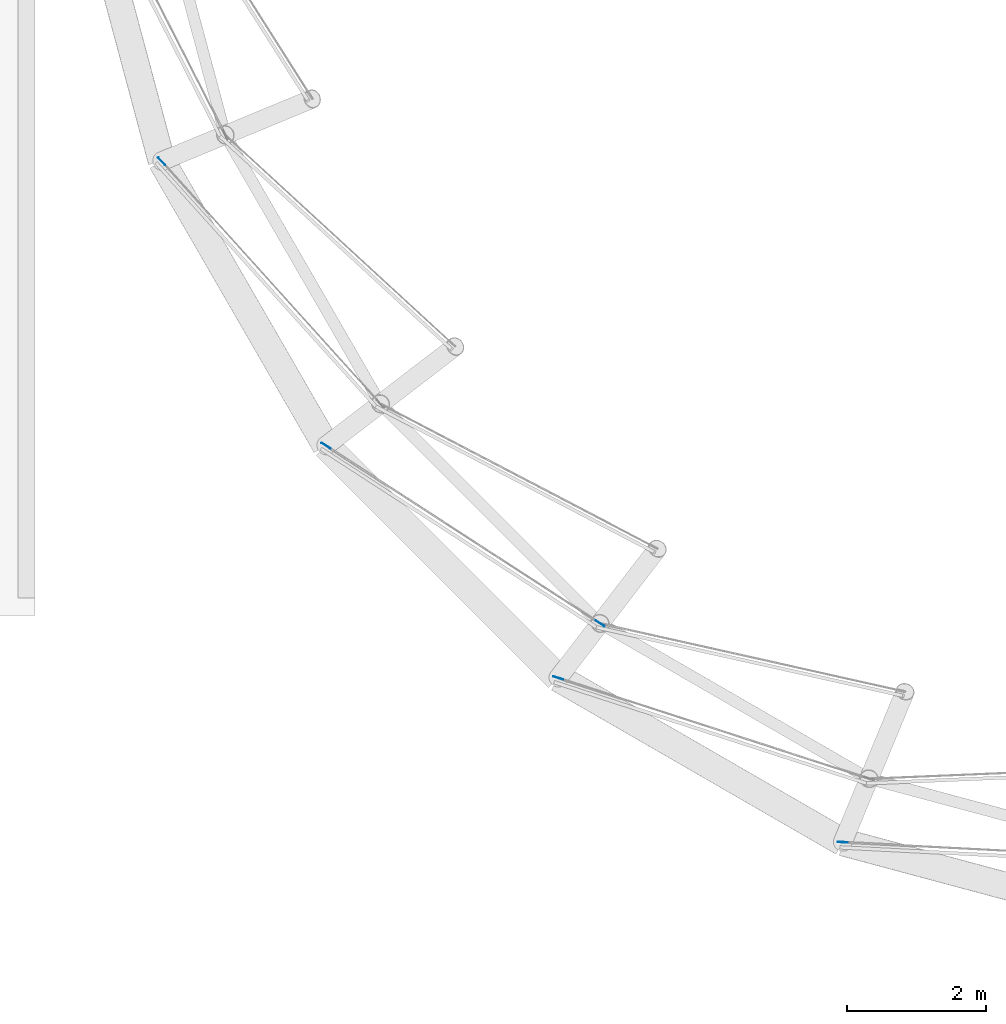
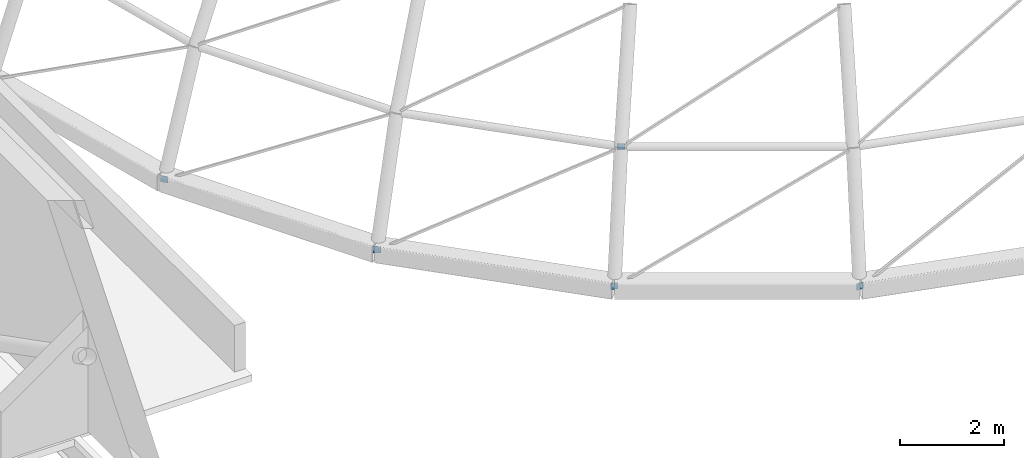
# One storey, part 32 of 59: 5 discrete accessories.
"""IFC4 building model written with IfcOpenShell, lengths in metres."""

import ifcopenshell
import ifcopenshell.guid

model = None  # the IFC model being written
_history = None  # IfcOwnerHistory: only IFC2X3 demands one
_inside = {}  # id of a spatial element -> (the spatial element, [elements in it])
_under = {}  # id of a project, library or spatial element -> (it, [spatial elements below it])
_declared = {}  # id of a project -> (the project, [libraries it declares])
_typed = {}  # id of a type object -> (the type object, [elements of that type])
_made_of = {}  # id of a material, layer set ... -> (it, [elements and type objects made of it])


def new_model(schema):
    """Start an empty IFC model of exactly this schema.

    Asked for "IFC4X3", IfcOpenShell would pick the latest addendum, in which some entities
    have other attributes; the version numbers below select the first issue.
    IFC2X3 requires an IfcOwnerHistory on every rooted entity: one is made here for all.
    """
    global model, _history
    if schema == "IFC4X3":
        model = ifcopenshell.file(schema_version=(4, 3, 0, 0))
    else:
        model = ifcopenshell.file(schema=schema)
    _inside.clear()
    _under.clear()
    _declared.clear()
    _typed.clear()
    _made_of.clear()
    _history = None
    if model.schema == "IFC2X3":
        org = make("IfcOrganization", Name="unknown")
        user = make(
            "IfcPersonAndOrganization",
            ThePerson=make("IfcPerson", FamilyName="unknown"),
            TheOrganization=org,
        )
        app = make(
            "IfcApplication",
            ApplicationDeveloper=org,
            Version="unknown",
            ApplicationFullName="unknown",
            ApplicationIdentifier="unknown",
        )
        _history = make(
            "IfcOwnerHistory",
            OwningUser=user,
            OwningApplication=app,
            ChangeAction="ADDED",
            CreationDate=0,
        )
    return model


def make(cls, **values):
    """One entity of the class cls with the attributes given. An attribute that is None is left unset."""
    return model.create_entity(
        cls, **{name: value for name, value in values.items() if value is not None}
    )


def rooted(cls, **values):
    """An entity with a GlobalId (a new one), such as an element, a storey or a relation."""
    return make(cls, GlobalId=ifcopenshell.guid.new(), OwnerHistory=_history, **values)


def si_unit(unit_type, name, prefix=None):
    """IfcSIUnit, for example si_unit("LENGTHUNIT", "METRE", prefix="MILLI")."""
    return make("IfcSIUnit", UnitType=unit_type, Prefix=prefix, Name=name)


def assignment(units):
    """IfcUnitAssignment: the units of a project."""
    return None if units is None else make("IfcUnitAssignment", Units=units)


def point(xyz):
    """IfcCartesianPoint."""
    return None if xyz is None else make("IfcCartesianPoint", Coordinates=xyz)


def direction(xyz):
    """IfcDirection."""
    return None if xyz is None else make("IfcDirection", DirectionRatios=xyz)


def frame(location, z_axis=None, x_axis=None):
    """IfcAxis2Placement3D, a coordinate frame: its origin and axes. An axis left out is left unset."""
    return make(
        "IfcAxis2Placement3D",
        Location=point(location),
        Axis=direction(z_axis),
        RefDirection=direction(x_axis),
    )


def frame_2d(location, x_axis=None):
    """IfcAxis2Placement2D, a coordinate frame in the plane: its origin and x axis."""
    return make(
        "IfcAxis2Placement2D", Location=point(location), RefDirection=direction(x_axis)
    )


def origin():
    """The frame at (0, 0, 0) with its axes left unset."""
    return frame((0.0, 0.0, 0.0))


def origin_2d():
    """The frame at (0, 0) in the plane with its x axis left unset."""
    return frame_2d((0.0, 0.0))


def place(relative_to, where):
    """IfcLocalPlacement: puts the frame where relative to a parent placement (None: the world)."""
    return make(
        "IfcLocalPlacement", PlacementRelTo=relative_to, RelativePlacement=where
    )


def context(
    kind, dimensions, precision=None, world=None, true_north=None, identifier=None
):
    """IfcGeometricRepresentationContext, for example the 3D "Model" context."""
    return make(
        "IfcGeometricRepresentationContext",
        ContextIdentifier=identifier,
        ContextType=kind,
        CoordinateSpaceDimension=dimensions,
        Precision=precision,
        WorldCoordinateSystem=world,
        TrueNorth=true_north,
    )


def subcontext(parent, identifier, kind, view, scale=None):
    """IfcGeometricRepresentationSubContext, for example "Body" below "Model"."""
    return make(
        "IfcGeometricRepresentationSubContext",
        ContextIdentifier=identifier,
        ContextType=kind,
        ParentContext=parent,
        TargetScale=scale,
        TargetView=view,
    )


def project(units=None, contexts=None):
    """IfcProject with its units and contexts."""
    return rooted(
        "IfcProject",
        Name="project",
        RepresentationContexts=contexts,
        UnitsInContext=assignment(units),
    )


def spatial(cls, under=None, at=None, **own):
    """A site, building, storey or space (cls), placed at a placement, below another one or the project."""
    s = rooted(cls, ObjectPlacement=at, **own)
    if under is not None:
        _under.setdefault(under.id(), (under, []))[1].append(s)
    return s


def profile(cls, at=None, kind="AREA", **sizes):
    """A parametric profile (cls). Its sizes go by their IFC names, for example OverallWidth=200.0."""
    return make(cls, ProfileType=kind, Position=at, **sizes)


def rectangle(**sizes):
    """IfcRectangleProfileDef."""
    return profile("IfcRectangleProfileDef", **sizes)


def extrude(swept, where, along, depth):
    """IfcExtrudedAreaSolid: the profile swept, set in the frame where, extruded along a direction by depth."""
    return make(
        "IfcExtrudedAreaSolid",
        SweptArea=swept,
        Position=where,
        ExtrudedDirection=direction(along),
        Depth=depth,
    )


def shape(context_of_items, identifier, shape_type, items):
    """IfcShapeRepresentation: the items that make up one representation, for example the "Body"."""
    return make(
        "IfcShapeRepresentation",
        ContextOfItems=context_of_items,
        RepresentationIdentifier=identifier,
        RepresentationType=shape_type,
        Items=items,
    )


def material(Name=None, Category=None):
    """IfcMaterial."""
    return make("IfcMaterial", Name=Name, Category=Category)


def made_of(thing, what):
    """Note that an element or type object is made of a material, layer set ...; save() writes the relation."""
    if what is not None:
        _made_of.setdefault(what.id(), (what, []))[1].append(thing)
    return thing


def type_object(cls, material=None, **own):
    """A type object (cls), such as IfcWallType, which elements share."""
    return made_of(rooted(cls, **own), material)


def element(
    cls,
    number,
    at=None,
    inside=None,
    cuts=None,
    type_object=None,
    material=None,
    context=None,
    identifier="Body",
    shape_type=None,
    held_by="IfcProductDefinitionShape",
    body=None,
    shapes=None,
    **own,
):
    """One element of the class cls, such as IfcWall. Its Tag is "e" and its number.

    at: its placement. inside: the storey or other place that contains it. cuts: it is an
    opening in that element (IfcRelVoidsElement). A single representation is given by context,
    identifier, shape_type and body (its items); several are given by shapes. held_by: the class
    of the entity that holds the representations. save() writes the other relations.
    """
    e = rooted(cls, Tag="e%d" % number, ObjectPlacement=at, **own)
    if body is not None:
        shapes = [shape(context, identifier, shape_type, body)]
    if shapes is not None:
        e.Representation = make(held_by, Representations=shapes)
    if inside is not None:
        _inside.setdefault(inside.id(), (inside, []))[1].append(e)
    if cuts is not None:
        rooted(
            "IfcRelVoidsElement", RelatingBuildingElement=cuts, RelatedOpeningElement=e
        )
    if type_object is not None:
        _typed.setdefault(type_object.id(), (type_object, []))[1].append(e)
    return made_of(e, material)


def aggregate(whole, parts):
    """IfcRelAggregates: a whole, such as a stair, and the parts it consists of."""
    return rooted("IfcRelAggregates", RelatingObject=whole, RelatedObjects=parts)


def save(model, path):
    """Write the relations noted so far, then the file.

    IfcRelAggregates (storeys below a building ...), IfcRelContainedInSpatialStructure (elements
    in a storey), IfcRelDefinesByType, IfcRelAssociatesMaterial and IfcRelDeclares: one each for
    every whole, place, type object, material and project.
    """
    for whole, parts in _under.values():
        aggregate(whole, parts)
    for where, things in _inside.values():
        rooted(
            "IfcRelContainedInSpatialStructure",
            RelatedElements=things,
            RelatingStructure=where,
        )
    for kind, things in _typed.values():
        rooted("IfcRelDefinesByType", RelatedObjects=things, RelatingType=kind)
    for what, things in _made_of.values():
        rooted("IfcRelAssociatesMaterial", RelatedObjects=things, RelatingMaterial=what)
    for by, libraries in _declared.values():
        rooted("IfcRelDeclares", RelatingContext=by, RelatedDefinitions=libraries)
    model.write(path)


model = new_model("IFC4")

# Units and contexts
model_context = context("Model", 3, precision=1e-05, world=origin(), true_north=direction((0.0, 1.0)))
body_context = subcontext(model_context, "Body", "Model", "MODEL_VIEW")
ifc_project = project(units=[si_unit("LENGTHUNIT", "METRE"), si_unit("AREAUNIT", "SQUARE_METRE"), si_unit("VOLUMEUNIT", "CUBIC_METRE"), si_unit("PLANEANGLEUNIT", "RADIAN"), si_unit("MASSUNIT", "GRAM", prefix="KILO")], contexts=[model_context])

# Site, building, storey
site_placement = place(None, origin())
site = spatial("IfcSite", under=ifc_project, at=site_placement, CompositionType="ELEMENT")
building_placement = place(site_placement, origin())
building = spatial("IfcBuilding", under=site, at=building_placement, Name="Hortulan Conservatory and Botanical Research Centre", CompositionType="ELEMENT")
storey_placement = place(building_placement, frame((0.0, 0.0, 10.5)))
storey = spatial("IfcBuildingStorey", under=building, at=storey_placement, Name="L02", CompositionType="ELEMENT", Elevation=10.5)

# Discrete accessories
ifc_material = material(Name="Steel Grade 300 plate (AS/NZS 3678, 280 MPa minimum yield)", Category="steel")
discrete_accessory_type = type_object("IfcDiscreteAccessoryType", Name="End Plate 150x10", PredefinedType="BRACKET", material=ifc_material)
for number, where, z_axis, x_axis, name in (
    (1, (37.226806640625, 11.05224609375, -0.074951171875), (0.0, 0.0, 1.0), (0.669727025549, -0.742607373549, 0.0), "Dome rod end plate"),
    (2, (39.596435546875, 6.94775390625, -0.074951171875), (0.0, 0.0, 1.0), (0.839117055711, -0.543950886399, 0.0), "Dome rod end plate"),
    (3, (42.94775390625, 3.596435546875, -0.074951171875), (0.0, 0.0, 1.0), (0.951309684392, -0.308236734317, 0.0), "Dome rod end plate"),
    (4, (43.5517578125, 4.3837890625, 2.51904296875), (0.0, 0.0, 1.0), (0.839117055711, -0.543950886399, 0.0), "Dome rod end plate"),
    (5, (47.05224609375, 1.226806640625, -0.074951171875), (0.0, 0.0, 1.0), (0.998671230905, -0.051534188286, 0.0), "Dome rod end plate"),
):
    element("IfcDiscreteAccessory", number, at=place(storey_placement, frame(where, z_axis=z_axis, x_axis=x_axis)), inside=storey, type_object=discrete_accessory_type, Name=name, PredefinedType="BRACKET", context=body_context, shape_type="SweptSolid", body=[
        extrude(rectangle(XDim=0.14990234375, YDim=0.010009765625, at=origin_2d()), origin(), (0.0, 0.0, 1.0), 0.14990234375),
    ])

save(model, "model.ifc")
